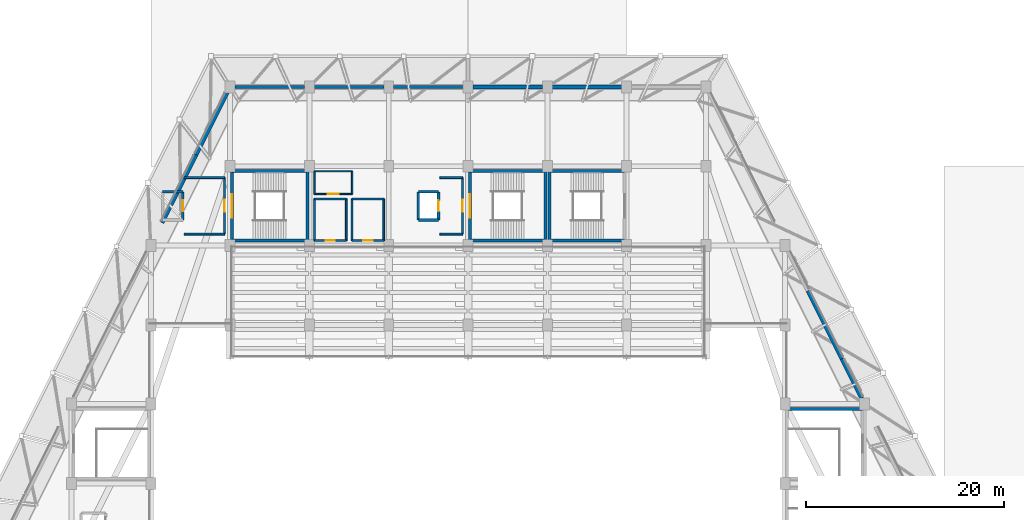
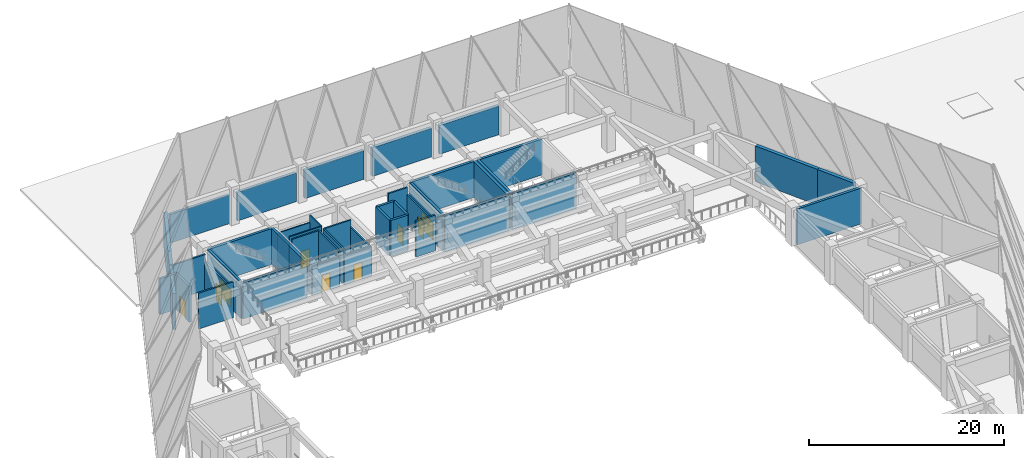
# One storey, part 18 of 24: 45 walls, 9 doors, 9 openings.
"""IFC4 building model written with IfcOpenShell, lengths in metres."""

from ifc_helpers import new_model, si_unit, direction, frame, frame_2d, origin, place, context, subcontext, project, spatial, rectangle, extrude, material, layer, layer_set, type_object, element, fill, save


model = new_model("IFC4")

# Units and contexts
model_context = context("Model", 3, precision=1e-05, world=origin(), true_north=direction((0.0, 1.0)))
body_context = subcontext(model_context, "Body", "Model", "MODEL_VIEW")
ifc_project = project(units=[si_unit("LENGTHUNIT", "METRE"), si_unit("AREAUNIT", "SQUARE_METRE"), si_unit("VOLUMEUNIT", "CUBIC_METRE"), si_unit("PLANEANGLEUNIT", "RADIAN"), si_unit("MASSUNIT", "GRAM", prefix="KILO")], contexts=[model_context])

# Site, building, storey
site_placement = place(None, origin())
site = spatial("IfcSite", under=ifc_project, at=site_placement, CompositionType="ELEMENT")
building_placement = place(site_placement, origin())
building = spatial("IfcBuilding", under=site, at=building_placement, Name="Tazarka Park Arena", CompositionType="ELEMENT")
storey_placement = place(building_placement, frame((0.0, 0.0, 15.0)))
storey = spatial("IfcBuildingStorey", under=building, at=storey_placement, Name="L03", CompositionType="ELEMENT", Elevation=15.0)

# Walls
ifc_material_1 = material(Name="Concrete C40/50", Category="concrete")
ifc_layer_1 = layer(ifc_material_1, 0.300048828125, Name="Concrete C40/50")
ifc_layer_set_1 = layer_set([ifc_layer_1], Name="Concrete C40/50")
wall_type_1 = type_object("IfcWallType", Name="IWAL-CW-S1", PredefinedType="SHEAR", material=ifc_layer_set_1)
wall_1_placement = place(storey_placement, frame((103.800048828125, 96.5, 0.0), z_axis=(0.0, 0.0, 1.0), x_axis=(-1.0, 0.0, 0.0)))
element("IfcWall", 1, at=wall_1_placement, inside=storey, type_object=wall_type_1, Name="SCW-L03-ST10-S", PredefinedType="SHEAR", context=body_context, shape_type="SweptSolid", body=[
    extrude(rectangle(XDim=7.60009765625, YDim=0.300048828125, at=frame_2d((3.800048828125, 0.0))), origin(), (0.0, 0.0, 1.0), 4.5),
])
wall_2_placement = place(storey_placement, frame((96.199951171875, 96.5, 0.0), z_axis=(0.0, 0.0, 1.0), x_axis=(0.0, 1.0, 0.0)))
element("IfcWall", 2, at=wall_2_placement, inside=storey, type_object=wall_type_1, Name="SCW-L03-ST10-W", PredefinedType="SHEAR", context=body_context, shape_type="SweptSolid", body=[
    extrude(rectangle(XDim=7.0, YDim=0.300048828125, at=frame_2d((3.5, 0.0))), origin(), (0.0, 0.0, 1.0), 4.5),
])
for number, where, z_axis, x_axis, name in (
    (3, (96.199951171875, 103.5, 0.0), (0.0, 0.0, 1.0), (1.0, 0.0, 0.0), "SCW-L03-ST10-N"),
    (4, (71.800048828125, 96.5, 0.0), (0.0, 0.0, 1.0), (-1.0, 0.0, 0.0), "SCW-L03-ST14-S"),
):
    element("IfcWall", number, at=place(storey_placement, frame(where, z_axis=z_axis, x_axis=x_axis)), inside=storey, type_object=wall_type_1, Name=name, PredefinedType="SHEAR", context=body_context, shape_type="SweptSolid", body=[
        extrude(rectangle(XDim=7.60009765625, YDim=0.300048828125, at=frame_2d((3.800048828125, 0.0))), origin(), (0.0, 0.0, 1.0), 4.5),
    ])

# Wall, opening, door
wall_3_placement = place(storey_placement, frame((64.199951171875, 96.5, 0.0), z_axis=(0.0, 0.0, 1.0), x_axis=(0.0, 1.0, 0.0)))
wall_3 = element("IfcWall", 5, at=wall_3_placement, inside=storey, type_object=wall_type_1, Name="SCW-L03-ST14-W", PredefinedType="SHEAR", context=body_context, shape_type="SweptSolid", body=[
    extrude(rectangle(XDim=7.0, YDim=0.300048828125, at=frame_2d((3.5, 0.0))), origin(), (0.0, 0.0, 1.0), 4.5),
])
opening_1_placement = place(wall_3_placement, frame((2.300048828125, 0.0, 0.0)))
opening_1 = element("IfcOpeningElement", 6, at=opening_1_placement, cuts=wall_3, Name="Opening ID-05", PredefinedType="OPENING", context=body_context, shape_type="SweptSolid", body=[
    extrude(rectangle(XDim=2.39990234375, YDim=2.199951171875, at=frame_2d((1.199951171875, 1.10009765625))), frame((0.0, 0.16015625, 0.0), z_axis=(0.0, -1.0, 0.0), x_axis=(1.0, 0.0, 0.0)), (0.0, 0.0, 1.0), 0.320068359375),
])
ifc_material_2 = material(Name="Fire-rated powder-coated steel and acoustic timber", Category="steel")
door_type_1 = type_object("IfcDoorType", Name="IDR-ID-05", OperationType="NOTDEFINED", PredefinedType="DOOR", material=ifc_material_2)
door_1_placement = place(opening_1_placement, frame((2.39990234375, 0.0, 0.0), z_axis=(0.0, 0.0, 1.0), x_axis=(-1.0, 0.0, 0.0)))
door_1 = element("IfcDoor", 7, at=door_1_placement, inside=storey, type_object=door_type_1, Name="Exit Stair Door ST14-L03", OperationType="DOUBLE_DOOR_SINGLE_SWING", OverallHeight=2.199951171875, OverallWidth=2.39990234375, PredefinedType="DOOR", context=body_context, shape_type="SweptSolid", body=[
    extrude(rectangle(XDim=2.39990234375, YDim=2.199951171875, at=frame_2d((1.199951171875, 1.10009765625))), frame((0.0, 0.02490234375, 0.0), z_axis=(0.0, -1.0, 0.0), x_axis=(1.0, 0.0, 0.0)), (0.0, 0.0, 1.0), 0.050048828125),
])
fill(opening_1, door_1)

# Walls
wall_4_placement = place(storey_placement, frame((64.199951171875, 103.5, 0.0), z_axis=(0.0, 0.0, 1.0), x_axis=(1.0, 0.0, 0.0)))
element("IfcWall", 8, at=wall_4_placement, inside=storey, type_object=wall_type_1, Name="SCW-L03-ST14-N", PredefinedType="SHEAR", context=body_context, shape_type="SweptSolid", body=[
    extrude(rectangle(XDim=7.60009765625, YDim=0.300048828125, at=frame_2d((3.800048828125, 0.0))), origin(), (0.0, 0.0, 1.0), 4.5),
])
wall_5_placement = place(storey_placement, frame((71.800048828125, 103.5, 0.0), z_axis=(0.0, 0.0, 1.0), x_axis=(0.0, -1.0, 0.0)))
element("IfcWall", 9, at=wall_5_placement, inside=storey, type_object=wall_type_1, Name="SCW-L03-ST14-E", PredefinedType="SHEAR", context=body_context, shape_type="SweptSolid", body=[
    extrude(rectangle(XDim=7.0, YDim=0.300048828125, at=frame_2d((3.5, 0.0))), origin(), (0.0, 0.0, 1.0), 4.5),
])
wall_6_placement = place(storey_placement, frame((95.800048828125, 96.5, 0.0), z_axis=(0.0, 0.0, 1.0), x_axis=(-1.0, 0.0, 0.0)))
element("IfcWall", 10, at=wall_6_placement, inside=storey, type_object=wall_type_1, Name="SCW-L03-ST15-S", PredefinedType="SHEAR", context=body_context, shape_type="SweptSolid", body=[
    extrude(rectangle(XDim=7.60009765625, YDim=0.300048828125, at=frame_2d((3.800048828125, 0.0))), origin(), (0.0, 0.0, 1.0), 4.5),
])

# Wall, opening, door
wall_7_placement = place(storey_placement, frame((88.199951171875, 96.5, 0.0), z_axis=(0.0, 0.0, 1.0), x_axis=(0.0, 1.0, 0.0)))
wall_7 = element("IfcWall", 11, at=wall_7_placement, inside=storey, type_object=wall_type_1, Name="SCW-L03-ST15-W", PredefinedType="SHEAR", context=body_context, shape_type="SweptSolid", body=[
    extrude(rectangle(XDim=7.0, YDim=0.300048828125, at=frame_2d((3.5, 0.0))), origin(), (0.0, 0.0, 1.0), 4.5),
])
opening_2_placement = place(wall_7_placement, frame((2.300048828125, 0.0, 0.0)))
opening_2 = element("IfcOpeningElement", 12, at=opening_2_placement, cuts=wall_7, Name="Opening ID-05", PredefinedType="OPENING", context=body_context, shape_type="SweptSolid", body=[
    extrude(rectangle(XDim=2.39990234375, YDim=2.199951171875, at=frame_2d((1.199951171875, 1.10009765625))), frame((0.0, 0.16015625, 0.0), z_axis=(0.0, -1.0, 0.0), x_axis=(1.0, 0.0, 0.0)), (0.0, 0.0, 1.0), 0.320068359375),
])
door_2_placement = place(opening_2_placement, frame((2.39990234375, 0.0, 0.0), z_axis=(0.0, 0.0, 1.0), x_axis=(-1.0, 0.0, 0.0)))
door_2 = element("IfcDoor", 13, at=door_2_placement, inside=storey, type_object=door_type_1, Name="Exit Stair Door ST15-L03", OperationType="DOUBLE_DOOR_SINGLE_SWING", OverallHeight=2.199951171875, OverallWidth=2.39990234375, PredefinedType="DOOR", context=body_context, shape_type="SweptSolid", body=[
    extrude(rectangle(XDim=2.39990234375, YDim=2.199951171875, at=frame_2d((1.199951171875, 1.10009765625))), frame((0.0, 0.02490234375, 0.0), z_axis=(0.0, -1.0, 0.0), x_axis=(1.0, 0.0, 0.0)), (0.0, 0.0, 1.0), 0.050048828125),
])
fill(opening_2, door_2)

# Walls
wall_8_placement = place(storey_placement, frame((88.199951171875, 103.5, 0.0), z_axis=(0.0, 0.0, 1.0), x_axis=(1.0, 0.0, 0.0)))
element("IfcWall", 14, at=wall_8_placement, inside=storey, type_object=wall_type_1, Name="SCW-L03-ST15-N", PredefinedType="SHEAR", context=body_context, shape_type="SweptSolid", body=[
    extrude(rectangle(XDim=7.60009765625, YDim=0.300048828125, at=frame_2d((3.800048828125, 0.0))), origin(), (0.0, 0.0, 1.0), 4.5),
])
wall_9_placement = place(storey_placement, frame((95.800048828125, 103.5, 0.0), z_axis=(0.0, 0.0, 1.0), x_axis=(0.0, -1.0, 0.0)))
element("IfcWall", 15, at=wall_9_placement, inside=storey, type_object=wall_type_1, Name="SCW-L03-ST15-E", PredefinedType="SHEAR", context=body_context, shape_type="SweptSolid", body=[
    extrude(rectangle(XDim=7.0, YDim=0.300048828125, at=frame_2d((3.5, 0.0))), origin(), (0.0, 0.0, 1.0), 4.5),
])
wall_10_placement = place(storey_placement, frame((120.199951171875, 79.5, 0.0), z_axis=(0.0, 0.0, 1.0), x_axis=(1.0, 0.0, 0.0)))
element("IfcWall", 16, at=wall_10_placement, inside=storey, type_object=wall_type_1, Name="SCW-L03-ST22-N", PredefinedType="SHEAR", context=body_context, shape_type="SweptSolid", body=[
    extrude(rectangle(XDim=7.60009765625, YDim=0.300048828125, at=frame_2d((3.800048828125, 0.0))), origin(), (0.0, 0.0, 1.0), 4.5),
])
ifc_material_3 = material(Name="Concrete C40/50", Category="concrete")
ifc_layer_2 = layer(ifc_material_3, 0.260009765625, Name="Concrete C40/50")
ifc_layer_set_2 = layer_set([ifc_layer_2], Name="Concrete C40/50")
wall_type_2 = type_object("IfcWallType", Name="IWAL-CW-S3", PredefinedType="SHEAR", material=ifc_layer_set_2)
wall_11_placement = place(storey_placement, frame((57.179931640625, 101.419921875, 0.0), z_axis=(0.0, 0.0, 1.0), x_axis=(1.0, 0.0, 0.0)))
element("IfcWall", 17, at=wall_11_placement, inside=storey, type_object=wall_type_2, Name="LSW-L03-LF-02-N", PredefinedType="SHEAR", context=body_context, shape_type="SweptSolid", body=[
    extrude(rectangle(XDim=2.0400390625, YDim=0.260009765625, at=frame_2d((1.02001953125, 0.0))), origin(), (0.0, 0.0, 1.0), 4.5),
])

# Wall, opening, door
wall_12_placement = place(storey_placement, frame((59.219970703125, 101.419921875, 0.0), z_axis=(0.0, 0.0, 1.0), x_axis=(0.0, -1.0, 0.0)))
wall_12 = element("IfcWall", 18, at=wall_12_placement, inside=storey, type_object=wall_type_2, Name="LSW-L03-LF-02-E", PredefinedType="SHEAR", context=body_context, shape_type="SweptSolid", body=[
    extrude(rectangle(XDim=2.83984375, YDim=0.260009765625, at=frame_2d((1.419921875, 0.0))), origin(), (0.0, 0.0, 1.0), 4.5),
])
opening_3_placement = place(wall_12_placement, frame((0.8701171875, 0.0, 0.0)))
opening_3 = element("IfcOpeningElement", 19, at=opening_3_placement, cuts=wall_12, Name="Opening LD-01", PredefinedType="OPENING", context=body_context, shape_type="SweptSolid", body=[
    extrude(rectangle(XDim=1.10009765625, YDim=2.14990234375, at=frame_2d((0.550048828125, 1.074951171875))), frame((0.0, 0.14013671875, 0.0), z_axis=(0.0, -1.0, 0.0), x_axis=(1.0, 0.0, 0.0)), (0.0, 0.0, 1.0), 0.280029296875),
])
ifc_material_4 = material(Name="Fire-rated powder-coated steel and acoustic timber", Category="steel")
door_type_2 = type_object("IfcDoorType", Name="IDR-LD-01", OperationType="NOTDEFINED", PredefinedType="DOOR", material=ifc_material_4)
door_3_placement = place(opening_3_placement, origin())
door_3 = element("IfcDoor", 20, at=door_3_placement, inside=storey, type_object=door_type_2, Name="Lift Landing Door LF-02-L03", OperationType="SLIDING_TO_LEFT", OverallHeight=2.14990234375, OverallWidth=1.10009765625, PredefinedType="DOOR", context=body_context, shape_type="SweptSolid", body=[
    extrude(rectangle(XDim=1.10009765625, YDim=2.14990234375, at=frame_2d((0.550048828125, 1.074951171875))), frame((0.0, 0.02490234375, 0.0), z_axis=(0.0, -1.0, 0.0), x_axis=(1.0, 0.0, 0.0)), (0.0, 0.0, 1.0), 0.050048828125),
])
fill(opening_3, door_3)

# Walls
wall_13_placement = place(storey_placement, frame((82.97998046875, 98.580078125, 0.0), z_axis=(0.0, 0.0, 1.0), x_axis=(0.0, 1.0, 0.0)))
element("IfcWall", 21, at=wall_13_placement, inside=storey, type_object=wall_type_2, Name="LSW-L03-LF-03-W", PredefinedType="SHEAR", context=body_context, shape_type="SweptSolid", body=[
    extrude(rectangle(XDim=2.83984375, YDim=0.260009765625, at=frame_2d((1.419921875, 0.0))), origin(), (0.0, 0.0, 1.0), 4.5),
])
for number, where, z_axis, x_axis, name in (
    (22, (82.97998046875, 101.419921875, 0.0), (0.0, 0.0, 1.0), (1.0, 0.0, 0.0), "LSW-L03-LF-03-N"),
    (23, (85.02001953125, 98.580078125, 0.0), (0.0, 0.0, 1.0), (-1.0, 0.0, 0.0), "LSW-L03-LF-03-S"),
):
    element("IfcWall", number, at=place(storey_placement, frame(where, z_axis=z_axis, x_axis=x_axis)), inside=storey, type_object=wall_type_2, Name=name, PredefinedType="SHEAR", context=body_context, shape_type="SweptSolid", body=[
        extrude(rectangle(XDim=2.0400390625, YDim=0.260009765625, at=frame_2d((1.02001953125, 0.0))), origin(), (0.0, 0.0, 1.0), 4.5),
    ])

# Wall, opening, door
wall_14_placement = place(storey_placement, frame((85.02001953125, 101.419921875, 0.0), z_axis=(0.0, 0.0, 1.0), x_axis=(0.0, -1.0, 0.0)))
wall_14 = element("IfcWall", 24, at=wall_14_placement, inside=storey, type_object=wall_type_2, Name="LSW-L03-LF-03-E", PredefinedType="SHEAR", context=body_context, shape_type="SweptSolid", body=[
    extrude(rectangle(XDim=2.83984375, YDim=0.260009765625, at=frame_2d((1.419921875, 0.0))), origin(), (0.0, 0.0, 1.0), 4.5),
])
opening_4_placement = place(wall_14_placement, frame((0.8701171875, 0.0, 0.0)))
opening_4 = element("IfcOpeningElement", 25, at=opening_4_placement, cuts=wall_14, Name="Opening LD-01", PredefinedType="OPENING", context=body_context, shape_type="SweptSolid", body=[
    extrude(rectangle(XDim=1.10009765625, YDim=2.14990234375, at=frame_2d((0.550048828125, 1.074951171875))), frame((0.0, 0.14013671875, 0.0), z_axis=(0.0, -1.0, 0.0), x_axis=(1.0, 0.0, 0.0)), (0.0, 0.0, 1.0), 0.280029296875),
])
door_4_placement = place(opening_4_placement, origin())
door_4 = element("IfcDoor", 26, at=door_4_placement, inside=storey, type_object=door_type_2, Name="Lift Landing Door LF-03-L03", OperationType="SLIDING_TO_LEFT", OverallHeight=2.14990234375, OverallWidth=1.10009765625, PredefinedType="DOOR", context=body_context, shape_type="SweptSolid", body=[
    extrude(rectangle(XDim=1.10009765625, YDim=2.14990234375, at=frame_2d((0.550048828125, 1.074951171875))), frame((0.0, 0.02490234375, 0.0), z_axis=(0.0, -1.0, 0.0), x_axis=(1.0, 0.0, 0.0)), (0.0, 0.0, 1.0), 0.050048828125),
])
fill(opening_4, door_4)

# Walls
ifc_material_5 = material(Name="Reinforced masonry compartment wall", Category="masonry")
ifc_layer_3 = layer(ifc_material_5, 0.199951171875, Name="Reinforced masonry compartment wall")
ifc_layer_set_3 = layer_set([ifc_layer_3], Name="Reinforced masonry compartment wall")
wall_type_3 = type_object("IfcWallType", Name="IWAL-PT-04", PredefinedType="PARTITIONING", material=ifc_layer_set_3)
for number, where, z_axis, x_axis, name in (
    (27, (59.35009765625, 102.85009765625, 0.0), (0.0, 0.0, 1.0), (1.0, 0.0, 0.0), "FFW-L03-LF-02-N"),
    (28, (63.449951171875, 97.14990234375, 0.0), (0.0, 0.0, 1.0), (-1.0, 0.0, 0.0), "FFW-L03-LF-02-S"),
):
    element("IfcWall", number, at=place(storey_placement, frame(where, z_axis=z_axis, x_axis=x_axis)), inside=storey, type_object=wall_type_3, Name=name, PredefinedType="PARTITIONING", context=body_context, shape_type="SweptSolid", body=[
        extrude(rectangle(XDim=4.099853515625, YDim=0.199951171875, at=frame_2d((2.0498046875, 0.0))), origin(), (0.0, 0.0, 1.0), 4.5),
    ])

# Wall, opening, door
wall_15_placement = place(storey_placement, frame((63.449951171875, 102.85009765625, 0.0), z_axis=(0.0, 0.0, 1.0), x_axis=(0.0, -1.0, 0.0)))
wall_15 = element("IfcWall", 29, at=wall_15_placement, inside=storey, type_object=wall_type_3, Name="FFW-L03-LF-02-E", PredefinedType="PARTITIONING", context=body_context, shape_type="SweptSolid", body=[
    extrude(rectangle(XDim=5.7001953125, YDim=0.199951171875, at=frame_2d((2.85009765625, 0.0))), origin(), (0.0, 0.0, 1.0), 3.60009765625),
])
opening_5_placement = place(wall_15_placement, frame((2.25, 0.0, 0.0)))
opening_5 = element("IfcOpeningElement", 30, at=opening_5_placement, cuts=wall_15, Name="Opening ID-03", PredefinedType="OPENING", context=body_context, shape_type="SweptSolid", body=[
    extrude(rectangle(XDim=1.199951171875, YDim=2.199951171875, at=frame_2d((0.60009765625, 1.10009765625))), frame((0.0, 0.10986328125, 0.0), z_axis=(0.0, -1.0, 0.0), x_axis=(1.0, 0.0, 0.0)), (0.0, 0.0, 1.0), 0.219970703125),
])
ifc_material_6 = material(Name="Fire-rated powder-coated steel and acoustic timber", Category="steel")
door_type_3 = type_object("IfcDoorType", Name="IDR-ID-03", OperationType="NOTDEFINED", PredefinedType="DOOR", material=ifc_material_6)
door_5_placement = place(opening_5_placement, origin())
door_5 = element("IfcDoor", 31, at=door_5_placement, inside=storey, type_object=door_type_3, Name="Firefighting Lobby Door LF-02-L03", OperationType="SINGLE_SWING_RIGHT", OverallHeight=2.199951171875, OverallWidth=1.199951171875, PredefinedType="DOOR", context=body_context, shape_type="SweptSolid", body=[
    extrude(rectangle(XDim=1.199951171875, YDim=2.199951171875, at=frame_2d((0.60009765625, 1.10009765625))), frame((0.0, 0.02490234375, 0.0), z_axis=(0.0, -1.0, 0.0), x_axis=(1.0, 0.0, 0.0)), (0.0, 0.0, 1.0), 0.050048828125),
])
fill(opening_5, door_5)

# Walls
for number, where, z_axis, x_axis, name in (
    (32, (85.14990234375, 102.85009765625, 0.0), (0.0, 0.0, 1.0), (1.0, 0.0, 0.0), "FFW-L03-LF-03-N"),
    (33, (87.449951171875, 97.14990234375, 0.0), (0.0, 0.0, 1.0), (-1.0, 0.0, 0.0), "FFW-L03-LF-03-S"),
):
    element("IfcWall", number, at=place(storey_placement, frame(where, z_axis=z_axis, x_axis=x_axis)), inside=storey, type_object=wall_type_3, Name=name, PredefinedType="PARTITIONING", context=body_context, shape_type="SweptSolid", body=[
        extrude(rectangle(XDim=2.300048828125, YDim=0.199951171875, at=frame_2d((1.14990234375, 0.0))), origin(), (0.0, 0.0, 1.0), 4.5),
    ])

# Wall, opening, door
wall_16_placement = place(storey_placement, frame((87.449951171875, 102.85009765625, 0.0), z_axis=(0.0, 0.0, 1.0), x_axis=(0.0, -1.0, 0.0)))
wall_16 = element("IfcWall", 34, at=wall_16_placement, inside=storey, type_object=wall_type_3, Name="FFW-L03-LF-03-E", PredefinedType="PARTITIONING", context=body_context, shape_type="SweptSolid", body=[
    extrude(rectangle(XDim=5.7001953125, YDim=0.199951171875, at=frame_2d((2.85009765625, 0.0))), origin(), (0.0, 0.0, 1.0), 3.60009765625),
])
opening_6_placement = place(wall_16_placement, frame((2.25, 0.0, 0.0)))
opening_6 = element("IfcOpeningElement", 35, at=opening_6_placement, cuts=wall_16, Name="Opening ID-03", PredefinedType="OPENING", context=body_context, shape_type="SweptSolid", body=[
    extrude(rectangle(XDim=1.199951171875, YDim=2.199951171875, at=frame_2d((0.60009765625, 1.10009765625))), frame((0.0, 0.10986328125, 0.0), z_axis=(0.0, -1.0, 0.0), x_axis=(1.0, 0.0, 0.0)), (0.0, 0.0, 1.0), 0.219970703125),
])
door_6_placement = place(opening_6_placement, origin())
door_6 = element("IfcDoor", 36, at=door_6_placement, inside=storey, type_object=door_type_3, Name="Firefighting Lobby Door LF-03-L03", OperationType="SINGLE_SWING_LEFT", OverallHeight=2.199951171875, OverallWidth=1.199951171875, PredefinedType="DOOR", context=body_context, shape_type="SweptSolid", body=[
    extrude(rectangle(XDim=1.199951171875, YDim=2.199951171875, at=frame_2d((0.60009765625, 1.10009765625))), frame((0.0, 0.02490234375, 0.0), z_axis=(0.0, -1.0, 0.0), x_axis=(1.0, 0.0, 0.0)), (0.0, 0.0, 1.0), 0.050048828125),
])
fill(opening_6, door_6)

ifc_material_7 = material(Name="Acoustic gypsum stud partition")
ifc_layer_4 = layer(ifc_material_7, 0.135009765625, Name="Acoustic gypsum stud partition")
ifc_layer_set_4 = layer_set([ifc_layer_4], Name="Acoustic gypsum stud partition")
wall_type_4 = type_object("IfcWallType", Name="IWAL-PT-10", PredefinedType="PARTITIONING", material=ifc_layer_set_4)
wall_17_placement = place(storey_placement, frame((72.5, 101.199951171875, 0.0), z_axis=(0.0, 0.0, 1.0), x_axis=(1.0, 0.0, 0.0)))
wall_17 = element("IfcWall", 37, at=wall_17_placement, inside=storey, type_object=wall_type_4, Name="WCE-L03-119", PredefinedType="PARTITIONING", context=body_context, shape_type="SweptSolid", body=[
    extrude(rectangle(XDim=3.800048828125, YDim=0.135009765625, at=frame_2d((1.89990234375, 0.0))), origin(), (0.0, 0.0, 1.0), 4.5),
])
opening_7_placement = place(wall_17_placement, frame((1.35009765625, 0.0, 0.0)))
opening_7 = element("IfcOpeningElement", 38, at=opening_7_placement, cuts=wall_17, Name="Opening ID-02", PredefinedType="OPENING", context=body_context, shape_type="SweptSolid", body=[
    extrude(rectangle(XDim=1.10009765625, YDim=2.14990234375, at=frame_2d((0.550048828125, 1.074951171875))), frame((0.0, 0.07763671875, 0.0), z_axis=(0.0, -1.0, 0.0), x_axis=(1.0, 0.0, 0.0)), (0.0, 0.0, 1.0), 0.155029296875),
])
ifc_material_8 = material(Name="Fire-rated powder-coated steel and acoustic timber", Category="steel")
door_type_4 = type_object("IfcDoorType", Name="IDR-ID-02", OperationType="NOTDEFINED", PredefinedType="DOOR", material=ifc_material_8)
door_7_placement = place(opening_7_placement, origin())
door_7 = element("IfcDoor", 39, at=door_7_placement, inside=storey, type_object=door_type_4, Name="Room Door Accessible WC North 2", OperationType="SINGLE_SWING_LEFT", OverallHeight=2.14990234375, OverallWidth=1.10009765625, PredefinedType="DOOR", context=body_context, shape_type="SweptSolid", body=[
    extrude(rectangle(XDim=1.10009765625, YDim=2.14990234375, at=frame_2d((0.550048828125, 1.074951171875))), frame((0.0, 0.02490234375, 0.0), z_axis=(0.0, -1.0, 0.0), x_axis=(1.0, 0.0, 0.0)), (0.0, 0.0, 1.0), 0.050048828125),
])
fill(opening_7, door_7)

# Walls
wall_18_placement = place(storey_placement, frame((76.300048828125, 101.199951171875, 0.0), z_axis=(0.0, 0.0, 1.0), x_axis=(0.0, 1.0, 0.0)))
element("IfcWall", 40, at=wall_18_placement, inside=storey, type_object=wall_type_4, Name="WCE-L03-120", PredefinedType="PARTITIONING", context=body_context, shape_type="SweptSolid", body=[
    extrude(rectangle(XDim=2.300048828125, YDim=0.135009765625, at=frame_2d((1.14990234375, 0.0))), origin(), (0.0, 0.0, 1.0), 4.5),
])
wall_19_placement = place(storey_placement, frame((76.300048828125, 103.5, 0.0), z_axis=(0.0, 0.0, 1.0), x_axis=(-1.0, 0.0, 0.0)))
element("IfcWall", 41, at=wall_19_placement, inside=storey, type_object=wall_type_4, Name="WCE-L03-121", PredefinedType="PARTITIONING", context=body_context, shape_type="SweptSolid", body=[
    extrude(rectangle(XDim=3.800048828125, YDim=0.135009765625, at=frame_2d((1.89990234375, 0.0))), origin(), (0.0, 0.0, 1.0), 3.60009765625),
])
wall_20_placement = place(storey_placement, frame((72.5, 103.5, 0.0), z_axis=(0.0, 0.0, 1.0), x_axis=(0.0, -1.0, 0.0)))
element("IfcWall", 42, at=wall_20_placement, inside=storey, type_object=wall_type_4, Name="WCE-L03-122", PredefinedType="PARTITIONING", context=body_context, shape_type="SweptSolid", body=[
    extrude(rectangle(XDim=2.300048828125, YDim=0.135009765625, at=frame_2d((1.14990234375, 0.0))), origin(), (0.0, 0.0, 1.0), 3.60009765625),
])

# Wall, opening, door
ifc_material_9 = material(Name="Wet-zone tiled blockwork wall", Category="masonry")
ifc_layer_5 = layer(ifc_material_9, 0.175048828125, Name="Wet-zone tiled blockwork wall")
ifc_layer_set_5 = layer_set([ifc_layer_5], Name="Wet-zone tiled blockwork wall")
wall_type_5 = type_object("IfcWallType", Name="IWAL-PT-18", PredefinedType="PARTITIONING", material=ifc_layer_set_5)
wall_21_placement = place(storey_placement, frame((72.5, 96.5, 0.0), z_axis=(0.0, 0.0, 1.0), x_axis=(1.0, 0.0, 0.0)))
wall_21 = element("IfcWall", 43, at=wall_21_placement, inside=storey, type_object=wall_type_5, Name="WCE-L03-111", PredefinedType="PARTITIONING", context=body_context, shape_type="SweptSolid", body=[
    extrude(rectangle(XDim=3.199951171875, YDim=0.175048828125, at=frame_2d((1.60009765625, 0.0))), origin(), (0.0, 0.0, 1.0), 3.60009765625),
])
opening_8_placement = place(wall_21_placement, frame((1.125, 0.0, 0.0)))
opening_8 = element("IfcOpeningElement", 44, at=opening_8_placement, cuts=wall_21, Name="Opening ID-09", PredefinedType="OPENING", context=body_context, shape_type="SweptSolid", body=[
    extrude(rectangle(XDim=0.949951171875, YDim=2.14990234375, at=frame_2d((0.47509765625, 1.074951171875))), frame((0.0, 0.09765625, 0.0), z_axis=(0.0, -1.0, 0.0), x_axis=(1.0, 0.0, 0.0)), (0.0, 0.0, 1.0), 0.195068359375),
])
ifc_material_10 = material(Name="Fire-rated powder-coated steel and acoustic timber", Category="steel")
door_type_5 = type_object("IfcDoorType", Name="IDR-ID-09", OperationType="NOTDEFINED", PredefinedType="DOOR", material=ifc_material_10)
door_8_placement = place(opening_8_placement, origin())
door_8 = element("IfcDoor", 45, at=door_8_placement, inside=storey, type_object=door_type_5, Name="Room Door Public Male WC North 2", OperationType="SINGLE_SWING_LEFT", OverallHeight=2.14990234375, OverallWidth=0.949951171875, PredefinedType="DOOR", context=body_context, shape_type="SweptSolid", body=[
    extrude(rectangle(XDim=0.949951171875, YDim=2.14990234375, at=frame_2d((0.47509765625, 1.074951171875))), frame((0.0, 0.02490234375, 0.0), z_axis=(0.0, -1.0, 0.0), x_axis=(1.0, 0.0, 0.0)), (0.0, 0.0, 1.0), 0.050048828125),
])
fill(opening_8, door_8)

# Walls
wall_22_placement = place(storey_placement, frame((75.699951171875, 96.5, 0.0), z_axis=(0.0, 0.0, 1.0), x_axis=(0.0, 1.0, 0.0)))
element("IfcWall", 46, at=wall_22_placement, inside=storey, type_object=wall_type_5, Name="WCE-L03-112", PredefinedType="PARTITIONING", context=body_context, shape_type="SweptSolid", body=[
    extrude(rectangle(XDim=4.199951171875, YDim=0.175048828125, at=frame_2d((2.10009765625, 0.0))), origin(), (0.0, 0.0, 1.0), 4.5),
])
wall_23_placement = place(storey_placement, frame((75.699951171875, 100.699951171875, 0.0), z_axis=(0.0, 0.0, 1.0), x_axis=(-1.0, 0.0, 0.0)))
element("IfcWall", 47, at=wall_23_placement, inside=storey, type_object=wall_type_5, Name="WCE-L03-113", PredefinedType="PARTITIONING", context=body_context, shape_type="SweptSolid", body=[
    extrude(rectangle(XDim=3.199951171875, YDim=0.175048828125, at=frame_2d((1.60009765625, 0.0))), origin(), (0.0, 0.0, 1.0), 4.5),
])
wall_24_placement = place(storey_placement, frame((72.5, 100.699951171875, 0.0), z_axis=(0.0, 0.0, 1.0), x_axis=(0.0, -1.0, 0.0)))
element("IfcWall", 48, at=wall_24_placement, inside=storey, type_object=wall_type_5, Name="WCE-L03-114", PredefinedType="PARTITIONING", context=body_context, shape_type="SweptSolid", body=[
    extrude(rectangle(XDim=4.199951171875, YDim=0.175048828125, at=frame_2d((2.10009765625, 0.0))), origin(), (0.0, 0.0, 1.0), 3.60009765625),
])

# Wall, opening, door
wall_25_placement = place(storey_placement, frame((76.300048828125, 96.5, 0.0), z_axis=(0.0, 0.0, 1.0), x_axis=(1.0, 0.0, 0.0)))
wall_25 = element("IfcWall", 49, at=wall_25_placement, inside=storey, type_object=wall_type_5, Name="WCE-L03-115", PredefinedType="PARTITIONING", context=body_context, shape_type="SweptSolid", body=[
    extrude(rectangle(XDim=3.199951171875, YDim=0.175048828125, at=frame_2d((1.60009765625, 0.0))), origin(), (0.0, 0.0, 1.0), 3.60009765625),
])
opening_9_placement = place(wall_25_placement, frame((1.125, 0.0, 0.0)))
opening_9 = element("IfcOpeningElement", 50, at=opening_9_placement, cuts=wall_25, Name="Opening ID-09", PredefinedType="OPENING", context=body_context, shape_type="SweptSolid", body=[
    extrude(rectangle(XDim=0.949951171875, YDim=2.14990234375, at=frame_2d((0.47509765625, 1.074951171875))), frame((0.0, 0.09765625, 0.0), z_axis=(0.0, -1.0, 0.0), x_axis=(1.0, 0.0, 0.0)), (0.0, 0.0, 1.0), 0.195068359375),
])
door_9_placement = place(opening_9_placement, origin())
door_9 = element("IfcDoor", 51, at=door_9_placement, inside=storey, type_object=door_type_5, Name="Room Door Public Female WC North 2", OperationType="SINGLE_SWING_RIGHT", OverallHeight=2.14990234375, OverallWidth=0.949951171875, PredefinedType="DOOR", context=body_context, shape_type="SweptSolid", body=[
    extrude(rectangle(XDim=0.949951171875, YDim=2.14990234375, at=frame_2d((0.47509765625, 1.074951171875))), frame((0.0, 0.02490234375, 0.0), z_axis=(0.0, -1.0, 0.0), x_axis=(1.0, 0.0, 0.0)), (0.0, 0.0, 1.0), 0.050048828125),
])
fill(opening_9, door_9)

# Walls
wall_26_placement = place(storey_placement, frame((79.5, 96.5, 0.0), z_axis=(0.0, 0.0, 1.0), x_axis=(0.0, 1.0, 0.0)))
element("IfcWall", 52, at=wall_26_placement, inside=storey, type_object=wall_type_5, Name="WCE-L03-116", PredefinedType="PARTITIONING", context=body_context, shape_type="SweptSolid", body=[
    extrude(rectangle(XDim=4.199951171875, YDim=0.175048828125, at=frame_2d((2.10009765625, 0.0))), origin(), (0.0, 0.0, 1.0), 3.60009765625),
])
wall_27_placement = place(storey_placement, frame((79.5, 100.699951171875, 0.0), z_axis=(0.0, 0.0, 1.0), x_axis=(-1.0, 0.0, 0.0)))
element("IfcWall", 53, at=wall_27_placement, inside=storey, type_object=wall_type_5, Name="WCE-L03-117", PredefinedType="PARTITIONING", context=body_context, shape_type="SweptSolid", body=[
    extrude(rectangle(XDim=3.199951171875, YDim=0.175048828125, at=frame_2d((1.60009765625, 0.0))), origin(), (0.0, 0.0, 1.0), 4.5),
])
wall_28_placement = place(storey_placement, frame((76.300048828125, 100.699951171875, 0.0), z_axis=(0.0, 0.0, 1.0), x_axis=(0.0, -1.0, 0.0)))
element("IfcWall", 54, at=wall_28_placement, inside=storey, type_object=wall_type_5, Name="WCE-L03-118", PredefinedType="PARTITIONING", context=body_context, shape_type="SweptSolid", body=[
    extrude(rectangle(XDim=4.199951171875, YDim=0.175048828125, at=frame_2d((2.10009765625, 0.0))), origin(), (0.0, 0.0, 1.0), 4.5),
])
ifc_material_11 = material(Name="Precast concrete C40/50", Category="concrete")
ifc_layer_6 = layer(ifc_material_11, 0.300048828125, Name="Precast concrete C40/50")
ifc_layer_set_6 = layer_set([ifc_layer_6], Name="Precast concrete C40/50")
wall_type_6 = type_object("IfcWallType", Name="WAL-EW-01", PredefinedType="SOLIDWALL", material=ifc_layer_set_6)
wall_29_placement = place(storey_placement, frame((64.47998046875, 112.0, 0.0), z_axis=(0.0, 0.0, 1.0), x_axis=(1.0, 0.0, 0.0)))
element("IfcWall", 55, at=wall_29_placement, inside=storey, type_object=wall_type_6, Name="EW-L03-0304", PredefinedType="SOLIDWALL", context=body_context, shape_type="SweptSolid", body=[
    extrude(rectangle(XDim=7.0400390625, YDim=0.300048828125, at=frame_2d((3.52001953125, 0.0))), origin(), (0.0, 0.0, 1.0), 3.60009765625),
])
ifc_material_12 = material(Name="Precast concrete C40/50", Category="concrete")
ifc_layer_7 = layer(ifc_material_12, 0.320068359375, Name="Precast concrete C40/50")
ifc_layer_set_7 = layer_set([ifc_layer_7], Name="Precast concrete C40/50")
wall_type_7 = type_object("IfcWallType", Name="WAL-EW-02", PredefinedType="SOLIDWALL", material=ifc_layer_set_7)
wall_30_placement = place(storey_placement, frame((72.47998046875, 112.0, 0.0), z_axis=(0.0, 0.0, 1.0), x_axis=(1.0, 0.0, 0.0)))
element("IfcWall", 56, at=wall_30_placement, inside=storey, type_object=wall_type_7, Name="EW-L03-0305", PredefinedType="SOLIDWALL", context=body_context, shape_type="SweptSolid", body=[
    extrude(rectangle(XDim=7.0400390625, YDim=0.320068359375, at=frame_2d((3.52001953125, 0.0))), origin(), (0.0, 0.0, 1.0), 3.60009765625),
])
ifc_material_13 = material(Name="Concrete C40/50", Category="concrete")
ifc_layer_8 = layer(ifc_material_13, 0.340087890625, Name="Concrete C40/50")
ifc_layer_set_8 = layer_set([ifc_layer_8], Name="Concrete C40/50")
wall_type_8 = type_object("IfcWallType", Name="WAL-EW-03", PredefinedType="SOLIDWALL", material=ifc_layer_set_8)
wall_31_placement = place(storey_placement, frame((80.47998046875, 112.0, 0.0), z_axis=(0.0, 0.0, 1.0), x_axis=(1.0, 0.0, 0.0)))
element("IfcWall", 57, at=wall_31_placement, inside=storey, type_object=wall_type_8, Name="EW-L03-0306", PredefinedType="SOLIDWALL", context=body_context, shape_type="SweptSolid", body=[
    extrude(rectangle(XDim=7.0400390625, YDim=0.340087890625, at=frame_2d((3.52001953125, 0.0))), origin(), (0.0, 0.0, 1.0), 3.60009765625),
])
ifc_material_14 = material(Name="Concrete C40/50", Category="concrete")
ifc_layer_9 = layer(ifc_material_14, 0.360107421875, Name="Concrete C40/50")
ifc_layer_set_9 = layer_set([ifc_layer_9], Name="Concrete C40/50")
wall_type_9 = type_object("IfcWallType", Name="WAL-EW-04", PredefinedType="SOLIDWALL", material=ifc_layer_set_9)
wall_32_placement = place(storey_placement, frame((88.47998046875, 112.0, 0.0), z_axis=(0.0, 0.0, 1.0), x_axis=(1.0, 0.0, 0.0)))
element("IfcWall", 58, at=wall_32_placement, inside=storey, type_object=wall_type_9, Name="EW-L03-0307", PredefinedType="SOLIDWALL", context=body_context, shape_type="SweptSolid", body=[
    extrude(rectangle(XDim=7.0400390625, YDim=0.360107421875, at=frame_2d((3.52001953125, 0.0))), origin(), (0.0, 0.0, 1.0), 3.60009765625),
])
ifc_material_15 = material(Name="Concrete C50/60", Category="concrete")
ifc_layer_10 = layer(ifc_material_15, 0.3798828125, Name="Concrete C50/60")
ifc_layer_set_10 = layer_set([ifc_layer_10], Name="Concrete C50/60")
wall_type_10 = type_object("IfcWallType", Name="WAL-EW-05", PredefinedType="SOLIDWALL", material=ifc_layer_set_10)
wall_33_placement = place(storey_placement, frame((96.47998046875, 112.0, 0.0), z_axis=(0.0, 0.0, 1.0), x_axis=(1.0, 0.0, 0.0)))
element("IfcWall", 59, at=wall_33_placement, inside=storey, type_object=wall_type_10, Name="EW-L03-0308", PredefinedType="SOLIDWALL", context=body_context, shape_type="SweptSolid", body=[
    extrude(rectangle(XDim=7.0400390625, YDim=0.3798828125, at=frame_2d((3.52001953125, 0.0))), origin(), (0.0, 0.0, 1.0), 3.60009765625),
])
ifc_material_16 = material(Name="Concrete C40/50", Category="concrete")
ifc_layer_11 = layer(ifc_material_16, 0.3701171875, Name="Concrete C40/50")
ifc_layer_set_11 = layer_set([ifc_layer_11], Name="Concrete C40/50")
wall_type_11 = type_object("IfcWallType", Name="WAL-EW-12", PredefinedType="SOLIDWALL", material=ifc_layer_set_11)
wall_34_placement = place(storey_placement, frame((57.142822265625, 98.28564453125, 0.0), z_axis=(0.0, 0.0, 1.0), x_axis=(0.447200857411, 0.894433559931, 0.0)))
element("IfcWall", 60, at=wall_34_placement, inside=storey, type_object=wall_type_11, Name="EW-L03-0315", PredefinedType="SOLIDWALL", context=body_context, shape_type="SweptSolid", body=[
    extrude(rectangle(XDim=7.66650390625, YDim=0.3701171875, at=frame_2d((3.833251953125, 0.0))), origin(), (0.0, 0.0, 1.0), 4.5),
])
ifc_material_17 = material(Name="Concrete C50/60", Category="concrete")
ifc_layer_12 = layer(ifc_material_17, 0.389892578125, Name="Concrete C50/60")
ifc_layer_set_12 = layer_set([ifc_layer_12], Name="Concrete C50/60")
wall_type_12 = type_object("IfcWallType", Name="WAL-EW-13", PredefinedType="SOLIDWALL", material=ifc_layer_set_12)
wall_35_placement = place(storey_placement, frame((122.28564453125, 91.4287109375, 0.0), z_axis=(0.0, 0.0, 1.0), x_axis=(0.4472135955, -0.894427191, 0.0)))
element("IfcWall", 61, at=wall_35_placement, inside=storey, type_object=wall_type_12, Name="EW-L03-0300", PredefinedType="SOLIDWALL", context=body_context, shape_type="SweptSolid", body=[
    extrude(rectangle(XDim=7.666748046875, YDim=0.389892578125, at=frame_2d((3.83349609375, 0.0))), origin(), (0.0, 0.0, 1.0), 4.5),
])
wall_36_placement = place(storey_placement, frame((60.5712890625, 105.142822265625, 0.0), z_axis=(0.0, 0.0, 1.0), x_axis=(0.447227510427, 0.894420233401, 0.0)))
element("IfcWall", 62, at=wall_36_placement, inside=storey, type_object=wall_type_12, Name="EW-L03-0316", PredefinedType="SOLIDWALL", context=body_context, shape_type="SweptSolid", body=[
    extrude(rectangle(XDim=7.01806640625, YDim=0.389892578125, at=frame_2d((3.509033203125, 0.0))), origin(), (0.0, 0.0, 1.0), 4.5),
])
ifc_material_18 = material(Name="Concrete C50/60", Category="concrete")
ifc_layer_13 = layer(ifc_material_18, 0.409912109375, Name="Concrete C50/60")
ifc_layer_set_13 = layer_set([ifc_layer_13], Name="Concrete C50/60")
wall_type_13 = type_object("IfcWallType", Name="WAL-EW-14", PredefinedType="SOLIDWALL", material=ifc_layer_set_13)
wall_37_placement = place(storey_placement, frame((125.71435546875, 84.5712890625, 0.0), z_axis=(0.0, 0.0, 1.0), x_axis=(0.4472135955, -0.894427191, 0.0)))
element("IfcWall", 63, at=wall_37_placement, inside=storey, type_object=wall_type_13, Name="EW-L03-0301", PredefinedType="SOLIDWALL", context=body_context, shape_type="SweptSolid", body=[
    extrude(rectangle(XDim=4.46240234375, YDim=0.409912109375, at=frame_2d((2.231201171875, 0.0))), origin(), (0.0, 0.0, 1.0), 4.5),
])

save(model, "model.ifc")
